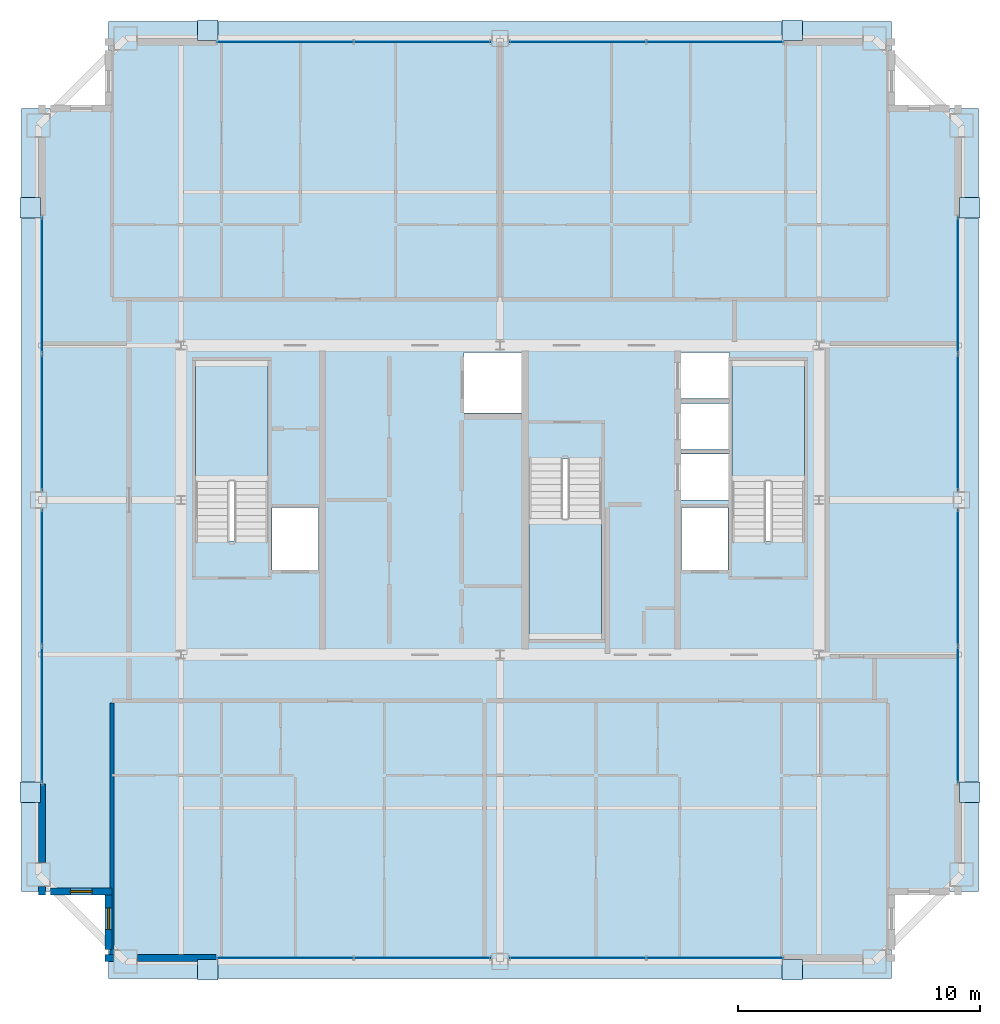
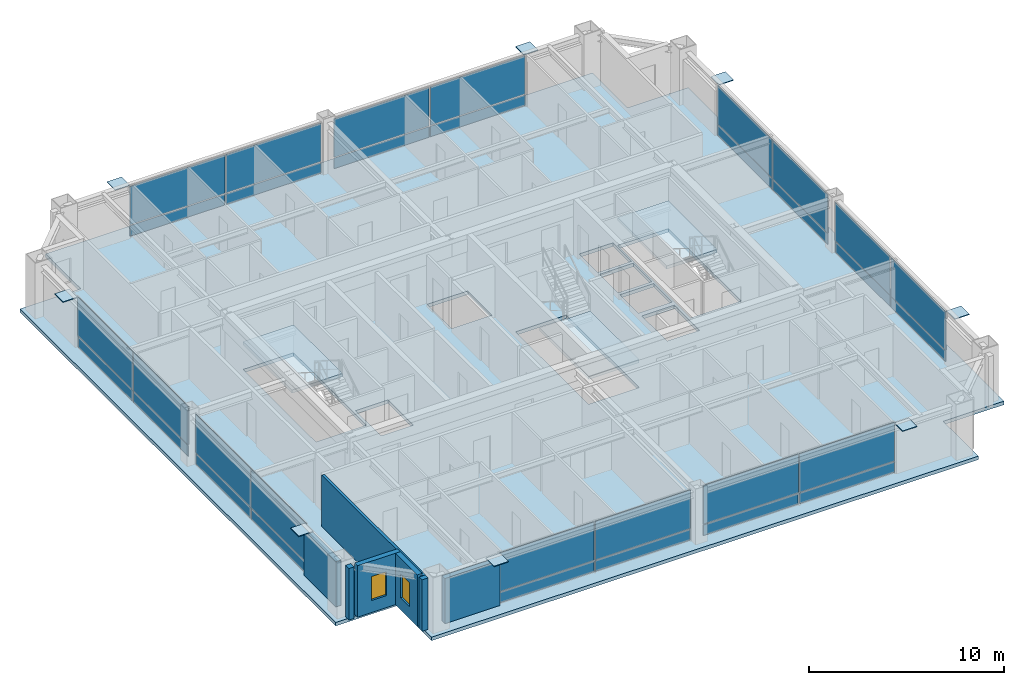
# One storey, part 29 of 35: 40 plates, 7 walls, 4 slabs, 2 windows, 2 openings, 11 elements without a shape of their own.
"""IFC4 building model written with IfcOpenShell, lengths in metres."""

from ifc_helpers import new_model, si_unit, direction, frame, frame_2d, origin, origin_2d, place, context, subcontext, project, spatial, polyline, rectangle, outline, extrude, source, transform, mapped, material, layer, layer_set, type_object, element, fill, aggregate, save


model = new_model("IFC4")

# Units and contexts
model_context = context("Model", 3, precision=1e-05, world=origin(), true_north=direction((0.0, 1.0)))
body_context = subcontext(model_context, "Body", "Model", "MODEL_VIEW")
ifc_project = project(units=[si_unit("LENGTHUNIT", "METRE"), si_unit("AREAUNIT", "SQUARE_METRE"), si_unit("VOLUMEUNIT", "CUBIC_METRE"), si_unit("PLANEANGLEUNIT", "RADIAN"), si_unit("MASSUNIT", "GRAM", prefix="KILO"), si_unit("THERMODYNAMICTEMPERATUREUNIT", "KELVIN"), si_unit("POWERUNIT", "WATT")], contexts=[model_context])

# Site, building, storey
site_placement = place(None, origin())
site = spatial("IfcSite", under=ifc_project, at=site_placement, CompositionType="ELEMENT")
building_placement = place(site_placement, origin())
building = spatial("IfcBuilding", under=site, at=building_placement, Name="Yuzanri Waterfront Tower", CompositionType="ELEMENT")
storey_placement = place(building_placement, frame((0.0, 0.0, 303.10009765625)))
storey = spatial("IfcBuildingStorey", under=building, at=storey_placement, Name="L81", CompositionType="ELEMENT", Elevation=303.10009765625)

# Stair, slab
ifc_material_1 = material(Name="Concrete C40", Category="concrete")
stair_type = type_object("IfcStairType", Name="Concrete C40 Core Dogleg Exit Stair", PredefinedType="HALF_TURN_STAIR", material=ifc_material_1)
stair_1_placement = place(storey_placement, origin())
stair_1 = element("IfcStair", 1, at=stair_1_placement, inside=storey, type_object=stair_type, Name="L81 Smoke-Proof Core Stair ST-01", PredefinedType="HALF_TURN_STAIR")
ifc_material_2 = material(Name="Concrete C40", Category="concrete")
ifc_layer_1 = layer(ifc_material_2, 0.179931640625)
ifc_layer_set_1 = layer_set([ifc_layer_1], Name="Concrete C40")
slab_type_1 = type_object("IfcSlabType", Name="Concrete C40 Stair Half-Landing Slab 180", PredefinedType="LANDING", material=ifc_layer_set_1)
slab_1_placement = place(storey_placement, frame((0.0, 0.0, 1.5498046875)))
slab_1 = element("IfcSlab", 2, at=slab_1_placement, type_object=slab_type_1, Name="ST-01 landing 1", PredefinedType="LANDING", context=body_context, shape_type="SweptSolid", body=[
    extrude(outline(polyline([(27.39990234375, 26.56005859375), (27.39990234375, 31.580078125), (24.39990234375, 31.580078125), (24.39990234375, 26.56005859375), (27.39990234375, 26.56005859375)])), origin(), (0.0, 0.0, 1.0), 0.2001953125),
])
aggregate(stair_1, [slab_1])

stair_2_placement = place(storey_placement, origin())
stair_2 = element("IfcStair", 3, at=stair_2_placement, inside=storey, type_object=stair_type, Name="L81 Smoke-Proof Core Stair ST-02", PredefinedType="HALF_TURN_STAIR")
slab_2_placement = place(storey_placement, frame((0.0, 0.0, 1.5498046875)))
slab_2 = element("IfcSlab", 4, at=slab_2_placement, type_object=slab_type_1, Name="ST-02 landing 1", PredefinedType="LANDING", context=body_context, shape_type="SweptSolid", body=[
    extrude(outline(polyline([(49.60009765625, 26.56005859375), (49.60009765625, 31.580078125), (46.60009765625, 31.580078125), (46.60009765625, 26.56005859375), (49.60009765625, 26.56005859375)])), origin(), (0.0, 0.0, 1.0), 0.2001953125),
])
aggregate(stair_2, [slab_2])

stair_3_placement = place(storey_placement, origin())
stair_3 = element("IfcStair", 5, at=stair_3_placement, inside=storey, type_object=stair_type, Name="L81 Smoke-Proof Core Stair ST-03", PredefinedType="HALF_TURN_STAIR")
slab_3_placement = place(storey_placement, frame((0.0, 0.0, 1.5498046875)))
slab_3 = element("IfcSlab", 6, at=slab_3_placement, type_object=slab_type_1, Name="ST-03 landing 1", PredefinedType="LANDING", context=body_context, shape_type="SweptSolid", body=[
    extrude(outline(polyline([(38.199951171875, 25.0400390625), (38.199951171875, 20.02001953125), (41.199951171875, 20.02001953125), (41.199951171875, 25.0400390625), (38.199951171875, 25.0400390625)])), origin(), (0.0, 0.0, 1.0), 0.2001953125),
])
aggregate(stair_3, [slab_3])

# Slab
ifc_material_3 = material(Name="Concrete C40", Category="concrete")
ifc_layer_2 = layer(ifc_material_3, 0.219970703125)
ifc_layer_set_2 = layer_set([ifc_layer_2], Name="Concrete C40")
slab_type_2 = type_object("IfcSlabType", Name="Concrete C40 Tower Typical Structural Floor Slab 220", PredefinedType="FLOOR", material=ifc_layer_set_2)
slab_4_placement = place(storey_placement, frame((0.0, 0.0, -0.22021484375)))
element("IfcSlab", 7, at=slab_4_placement, inside=storey, type_object=slab_type_2, Name="L81 Main Structural Floor Slab", PredefinedType="FLOOR", context=body_context, shape_type="SweptSolid", body=[
    extrude(outline(polyline([(20.800048828125, 6.0), (53.199951171875, 6.0), (53.199951171875, 9.60009765625), (56.800048828125, 9.60009765625), (56.800048828125, 42.0), (53.199951171875, 42.0), (53.199951171875, 45.60009765625), (20.800048828125, 45.60009765625), (20.800048828125, 42.0), (17.199951171875, 42.0), (17.199951171875, 9.60009765625), (20.800048828125, 9.60009765625), (20.800048828125, 6.0)]), holes=[polyline([(27.39990234375, 24.10009765625), (27.39990234375, 31.580078125), (24.39990234375, 31.580078125), (24.39990234375, 24.10009765625), (27.39990234375, 24.10009765625)]), polyline([(49.60009765625, 24.10009765625), (49.60009765625, 31.580078125), (46.60009765625, 31.580078125), (46.60009765625, 24.10009765625), (49.60009765625, 24.10009765625)]), polyline([(38.199951171875, 27.5), (38.199951171875, 20.02001953125), (41.199951171875, 20.02001953125), (41.199951171875, 27.5), (38.199951171875, 27.5)]), polyline([(27.56005859375, 22.89990234375), (29.47998046875, 22.89990234375), (29.47998046875, 25.5), (27.56005859375, 25.5), (27.56005859375, 22.89990234375)]), polyline([(44.52001953125, 22.89990234375), (46.43994140625, 22.89990234375), (46.43994140625, 25.5), (44.52001953125, 25.5), (44.52001953125, 22.89990234375)]), polyline([(35.5, 29.39990234375), (37.89990234375, 29.39990234375), (37.89990234375, 31.89990234375), (35.5, 31.89990234375), (35.5, 29.39990234375)]), polyline([(44.5, 25.800048828125), (46.5, 25.800048828125), (46.5, 27.699951171875), (44.5, 27.699951171875), (44.5, 25.800048828125)]), polyline([(44.5, 27.89990234375), (46.5, 27.89990234375), (46.5, 29.800048828125), (44.5, 29.800048828125), (44.5, 27.89990234375)]), polyline([(44.5, 30.0), (46.5, 30.0), (46.5, 31.89990234375), (44.5, 31.89990234375), (44.5, 30.0)])]), origin(), (0.0, 0.0, 1.0), 0.22021484375),
])

# Plates
ifc_material_4 = material(Name="Steel Q420GJC", Category="steel")
ifc_layer_3 = layer(ifc_material_4, 0.0400390625)
ifc_layer_set_3 = layer_set([ifc_layer_3], Name="Steel Q420GJC")
plate_type_1 = type_object("IfcPlateType", Name="Steel Q420GJC Mega-Brace Gusset and End-Cap Plate 40", PredefinedType="SHEET", material=ifc_layer_set_3)
shared_shape_1 = source(origin(), body_context, "Body", "SweptSolid", [
    extrude(rectangle(XDim=0.85009765625, YDim=0.85009765625, at=origin_2d()), origin(), (0.0, 0.0, 1.0), 0.0400390625),
])
for number, where, z_axis, x_axis, name in (
    (8, (24.89990234375, 6.360107421875, 3.159912109375), (0.0, 0.0, 1.0), (1.0, 0.0, 0.0), "L81 Mega-Brace Apex Cap Plate S-L"),
    (9, (49.10009765625, 6.360107421875, 3.159912109375), (0.0, 0.0, 1.0), (1.0, 0.0, 0.0), "L81 Mega-Brace Apex Cap Plate S-R"),
    (10, (24.89990234375, 45.239990234375, 3.159912109375), (0.0, 0.0, 1.0), (1.0, 0.0, 0.0), "L81 Mega-Brace Apex Cap Plate N-L"),
    (11, (49.10009765625, 45.239990234375, 3.159912109375), (0.0, 0.0, 1.0), (1.0, 0.0, 0.0), "L81 Mega-Brace Apex Cap Plate N-R"),
    (12, (17.56005859375, 13.699951171875, 3.159912109375), (0.0, 0.0, 1.0), (1.0, 0.0, 0.0), "L81 Mega-Brace Apex Cap Plate W-L"),
    (13, (17.56005859375, 37.89990234375, 3.159912109375), (0.0, 0.0, 1.0), (1.0, 0.0, 0.0), "L81 Mega-Brace Apex Cap Plate W-R"),
    (14, (56.43994140625, 13.699951171875, 3.159912109375), (0.0, 0.0, 1.0), (1.0, 0.0, 0.0), "L81 Mega-Brace Apex Cap Plate E-L"),
    (15, (56.43994140625, 37.89990234375, 3.159912109375), (0.0, 0.0, 1.0), (1.0, 0.0, 0.0), "L81 Mega-Brace Apex Cap Plate E-R"),
):
    element("IfcPlate", number, at=place(storey_placement, frame(where, z_axis=z_axis, x_axis=x_axis)), inside=storey, type_object=plate_type_1, Name=name, PredefinedType="SHEET", context=body_context, shape_type="MappedRepresentation", body=[
        mapped(shared_shape_1, transform((0.0, 0.0, 0.0), scale=1.0)),
    ])

# Curtain wall, plates
ifc_material_5 = material(Name="Anodized Architectural Bronze", Category="metal")
ifc_layer_4 = layer(ifc_material_5, 0.159912109375)
ifc_layer_set_4 = layer_set([ifc_layer_4], Name="Anodized Architectural Bronze")
curtain_wall_type = type_object("IfcCurtainWallType", Name="Anodized Bronze High-Rise Penthouse High-Wind Unitized Curtain Wall 6900", PredefinedType="NOTDEFINED", material=ifc_layer_set_4)
curtain_wall_1_placement = place(storey_placement, origin())
curtain_wall_1 = element("IfcCurtainWall", 16, at=curtain_wall_1_placement, inside=storey, type_object=curtain_wall_type, Name="L81 Curtain Wall CW-L81-SL", PredefinedType="NOTDEFINED")
ifc_material_6 = material(Name="Anodized Architectural Bronze", Category="metal")
ifc_layer_5 = layer(ifc_material_6, 0.028076171875)
ifc_layer_set_5 = layer_set([ifc_layer_5], Name="Anodized Architectural Bronze")
plate_type_2 = type_object("IfcPlateType", Name="Bronze Insulated Spandrel Shadow-Box Panel 28", PredefinedType="CURTAIN_PANEL", material=ifc_layer_set_5)
shared_shape_2 = source(origin(), body_context, "Body", "SweptSolid", [
    extrude(rectangle(XDim=5.6201171875, YDim=0.028076171875, at=origin_2d()), origin(), (0.0, 0.0, 1.0), 0.660888671875),
])
plate_1_placement = place(storey_placement, frame((28.10009765625, 6.85009765625, 0.0498046875), z_axis=(0.0, 0.0, 1.0), x_axis=(1.0, 0.0, 0.0)))
plate_1 = element("IfcPlate", 17, at=plate_1_placement, type_object=plate_type_2, Name="CW-L81-SL Spandrel Panel 01", PredefinedType="CURTAIN_PANEL", context=body_context, shape_type="MappedRepresentation", body=[
    mapped(shared_shape_2, transform((0.0, 0.0, 0.0), scale=1.0)),
])
plate_2_placement = place(storey_placement, frame((33.800048828125, 6.85009765625, 0.0498046875), z_axis=(0.0, 0.0, 1.0), x_axis=(1.0, 0.0, 0.0)))
plate_2 = element("IfcPlate", 18, at=plate_2_placement, type_object=plate_type_2, Name="CW-L81-SL Spandrel Panel 02", PredefinedType="CURTAIN_PANEL", context=body_context, shape_type="MappedRepresentation", body=[
    mapped(shared_shape_2, transform((0.0, 0.0, 0.0), scale=1.0)),
])

curtain_wall_2_placement = place(storey_placement, origin())
curtain_wall_2 = element("IfcCurtainWall", 19, at=curtain_wall_2_placement, inside=storey, type_object=curtain_wall_type, Name="L81 Curtain Wall CW-L81-SR", PredefinedType="NOTDEFINED")
plate_3_placement = place(storey_placement, frame((40.199951171875, 6.85009765625, 0.0498046875), z_axis=(0.0, 0.0, 1.0), x_axis=(1.0, 0.0, 0.0)))
plate_3 = element("IfcPlate", 20, at=plate_3_placement, type_object=plate_type_2, Name="CW-L81-SR Spandrel Panel 01", PredefinedType="CURTAIN_PANEL", context=body_context, shape_type="MappedRepresentation", body=[
    mapped(shared_shape_2, transform((0.0, 0.0, 0.0), scale=1.0)),
])
plate_4_placement = place(storey_placement, frame((45.89990234375, 6.85009765625, 0.0498046875), z_axis=(0.0, 0.0, 1.0), x_axis=(1.0, 0.0, 0.0)))
plate_4 = element("IfcPlate", 21, at=plate_4_placement, type_object=plate_type_2, Name="CW-L81-SR Spandrel Panel 02", PredefinedType="CURTAIN_PANEL", context=body_context, shape_type="MappedRepresentation", body=[
    mapped(shared_shape_2, transform((0.0, 0.0, 0.0), scale=1.0)),
])

curtain_wall_3_placement = place(storey_placement, origin())
curtain_wall_3 = element("IfcCurtainWall", 22, at=curtain_wall_3_placement, inside=storey, type_object=curtain_wall_type, Name="L81 Curtain Wall CW-L81-NL", PredefinedType="NOTDEFINED")
plate_5_placement = place(storey_placement, frame((28.10009765625, 44.75, 0.0498046875), z_axis=(0.0, 0.0, 1.0), x_axis=(1.0, 0.0, 0.0)))
plate_5 = element("IfcPlate", 23, at=plate_5_placement, type_object=plate_type_2, Name="CW-L81-NL Spandrel Panel 01", PredefinedType="CURTAIN_PANEL", context=body_context, shape_type="MappedRepresentation", body=[
    mapped(shared_shape_2, transform((0.0, 0.0, 0.0), scale=1.0)),
])
plate_6_placement = place(storey_placement, frame((33.800048828125, 44.75, 0.0498046875), z_axis=(0.0, 0.0, 1.0), x_axis=(1.0, 0.0, 0.0)))
plate_6 = element("IfcPlate", 24, at=plate_6_placement, type_object=plate_type_2, Name="CW-L81-NL Spandrel Panel 02", PredefinedType="CURTAIN_PANEL", context=body_context, shape_type="MappedRepresentation", body=[
    mapped(shared_shape_2, transform((0.0, 0.0, 0.0), scale=1.0)),
])

curtain_wall_4_placement = place(storey_placement, origin())
curtain_wall_4 = element("IfcCurtainWall", 25, at=curtain_wall_4_placement, inside=storey, type_object=curtain_wall_type, Name="L81 Curtain Wall CW-L81-NR", PredefinedType="NOTDEFINED")
plate_7_placement = place(storey_placement, frame((40.199951171875, 44.75, 0.0498046875), z_axis=(0.0, 0.0, 1.0), x_axis=(1.0, 0.0, 0.0)))
plate_7 = element("IfcPlate", 26, at=plate_7_placement, type_object=plate_type_2, Name="CW-L81-NR Spandrel Panel 01", PredefinedType="CURTAIN_PANEL", context=body_context, shape_type="MappedRepresentation", body=[
    mapped(shared_shape_2, transform((0.0, 0.0, 0.0), scale=1.0)),
])
plate_8_placement = place(storey_placement, frame((45.89990234375, 44.75, 0.0498046875), z_axis=(0.0, 0.0, 1.0), x_axis=(1.0, 0.0, 0.0)))
plate_8 = element("IfcPlate", 27, at=plate_8_placement, type_object=plate_type_2, Name="CW-L81-NR Spandrel Panel 02", PredefinedType="CURTAIN_PANEL", context=body_context, shape_type="MappedRepresentation", body=[
    mapped(shared_shape_2, transform((0.0, 0.0, 0.0), scale=1.0)),
])

curtain_wall_5_placement = place(storey_placement, origin())
curtain_wall_5 = element("IfcCurtainWall", 28, at=curtain_wall_5_placement, inside=storey, type_object=curtain_wall_type, Name="L81 Curtain Wall CW-L81-WL", PredefinedType="NOTDEFINED")
plate_9_placement = place(storey_placement, frame((18.050048828125, 16.89990234375, 0.0498046875), z_axis=(0.0, 0.0, 1.0), x_axis=(0.0, 1.0, 0.0)))
plate_9 = element("IfcPlate", 29, at=plate_9_placement, type_object=plate_type_2, Name="CW-L81-WL Spandrel Panel 01", PredefinedType="CURTAIN_PANEL", context=body_context, shape_type="MappedRepresentation", body=[
    mapped(shared_shape_2, transform((0.0, 0.0, 0.0), scale=1.0)),
])
plate_10_placement = place(storey_placement, frame((18.050048828125, 22.60009765625, 0.0498046875), z_axis=(0.0, 0.0, 1.0), x_axis=(0.0, 1.0, 0.0)))
plate_10 = element("IfcPlate", 30, at=plate_10_placement, type_object=plate_type_2, Name="CW-L81-WL Spandrel Panel 02", PredefinedType="CURTAIN_PANEL", context=body_context, shape_type="MappedRepresentation", body=[
    mapped(shared_shape_2, transform((0.0, 0.0, 0.0), scale=1.0)),
])

curtain_wall_6_placement = place(storey_placement, origin())
curtain_wall_6 = element("IfcCurtainWall", 31, at=curtain_wall_6_placement, inside=storey, type_object=curtain_wall_type, Name="L81 Curtain Wall CW-L81-WR", PredefinedType="NOTDEFINED")
plate_11_placement = place(storey_placement, frame((18.050048828125, 29.0, 0.0498046875), z_axis=(0.0, 0.0, 1.0), x_axis=(0.0, 1.0, 0.0)))
plate_11 = element("IfcPlate", 32, at=plate_11_placement, type_object=plate_type_2, Name="CW-L81-WR Spandrel Panel 01", PredefinedType="CURTAIN_PANEL", context=body_context, shape_type="MappedRepresentation", body=[
    mapped(shared_shape_2, transform((0.0, 0.0, 0.0), scale=1.0)),
])
plate_12_placement = place(storey_placement, frame((18.050048828125, 34.699951171875, 0.0498046875), z_axis=(0.0, 0.0, 1.0), x_axis=(0.0, 1.0, 0.0)))
plate_12 = element("IfcPlate", 33, at=plate_12_placement, type_object=plate_type_2, Name="CW-L81-WR Spandrel Panel 02", PredefinedType="CURTAIN_PANEL", context=body_context, shape_type="MappedRepresentation", body=[
    mapped(shared_shape_2, transform((0.0, 0.0, 0.0), scale=1.0)),
])

curtain_wall_7_placement = place(storey_placement, origin())
curtain_wall_7 = element("IfcCurtainWall", 34, at=curtain_wall_7_placement, inside=storey, type_object=curtain_wall_type, Name="L81 Curtain Wall CW-L81-EL", PredefinedType="NOTDEFINED")
plate_13_placement = place(storey_placement, frame((55.949951171875, 16.89990234375, 0.0498046875), z_axis=(0.0, 0.0, 1.0), x_axis=(0.0, 1.0, 0.0)))
plate_13 = element("IfcPlate", 35, at=plate_13_placement, type_object=plate_type_2, Name="CW-L81-EL Spandrel Panel 01", PredefinedType="CURTAIN_PANEL", context=body_context, shape_type="MappedRepresentation", body=[
    mapped(shared_shape_2, transform((0.0, 0.0, 0.0), scale=1.0)),
])
plate_14_placement = place(storey_placement, frame((55.949951171875, 22.60009765625, 0.0498046875), z_axis=(0.0, 0.0, 1.0), x_axis=(0.0, 1.0, 0.0)))
plate_14 = element("IfcPlate", 36, at=plate_14_placement, type_object=plate_type_2, Name="CW-L81-EL Spandrel Panel 02", PredefinedType="CURTAIN_PANEL", context=body_context, shape_type="MappedRepresentation", body=[
    mapped(shared_shape_2, transform((0.0, 0.0, 0.0), scale=1.0)),
])

curtain_wall_8_placement = place(storey_placement, origin())
curtain_wall_8 = element("IfcCurtainWall", 37, at=curtain_wall_8_placement, inside=storey, type_object=curtain_wall_type, Name="L81 Curtain Wall CW-L81-ER", PredefinedType="NOTDEFINED")
plate_15_placement = place(storey_placement, frame((55.949951171875, 29.0, 0.0498046875), z_axis=(0.0, 0.0, 1.0), x_axis=(0.0, 1.0, 0.0)))
plate_15 = element("IfcPlate", 38, at=plate_15_placement, type_object=plate_type_2, Name="CW-L81-ER Spandrel Panel 01", PredefinedType="CURTAIN_PANEL", context=body_context, shape_type="MappedRepresentation", body=[
    mapped(shared_shape_2, transform((0.0, 0.0, 0.0), scale=1.0)),
])
plate_16_placement = place(storey_placement, frame((55.949951171875, 34.699951171875, 0.0498046875), z_axis=(0.0, 0.0, 1.0), x_axis=(0.0, 1.0, 0.0)))
plate_16 = element("IfcPlate", 39, at=plate_16_placement, type_object=plate_type_2, Name="CW-L81-ER Spandrel Panel 02", PredefinedType="CURTAIN_PANEL", context=body_context, shape_type="MappedRepresentation", body=[
    mapped(shared_shape_2, transform((0.0, 0.0, 0.0), scale=1.0)),
])

# Plate
ifc_material_7 = material(Name="Triple Low-E Laminated Insulated Glass", Category="glass")
ifc_layer_6 = layer(ifc_material_7, 0.0439453125)
ifc_layer_set_6 = layer_set([ifc_layer_6], Name="Triple Low-E Laminated Insulated Glass")
plate_type_3 = type_object("IfcPlateType", Name="Triple Glazed Acoustic Vision Glass Panel 44", PredefinedType="CURTAIN_PANEL", material=ifc_layer_set_6)
shared_shape_3 = source(origin(), body_context, "Body", "SweptSolid", [
    extrude(rectangle(XDim=5.6201171875, YDim=0.0439453125, at=origin_2d()), origin(), (0.0, 0.0, 1.0), 2.39892578125),
])
plate_17_placement = place(storey_placement, frame((28.10009765625, 6.85009765625, 0.77099609375), z_axis=(0.0, 0.0, 1.0), x_axis=(1.0, 0.0, 0.0)))
plate_17 = element("IfcPlate", 40, at=plate_17_placement, type_object=plate_type_3, Name="CW-L81-SL Vision Glass Panel 01", PredefinedType="CURTAIN_PANEL", context=body_context, shape_type="MappedRepresentation", body=[
    mapped(shared_shape_3, transform((0.0, 0.0, 0.0), scale=1.0)),
])

plate_18_placement = place(storey_placement, frame((33.800048828125, 6.85009765625, 0.77099609375), z_axis=(0.0, 0.0, 1.0), x_axis=(1.0, 0.0, 0.0)))
plate_18 = element("IfcPlate", 41, at=plate_18_placement, type_object=plate_type_3, Name="CW-L81-SL Vision Glass Panel 02", PredefinedType="CURTAIN_PANEL", context=body_context, shape_type="MappedRepresentation", body=[
    mapped(shared_shape_3, transform((0.0, 0.0, 0.0), scale=1.0)),
])

aggregate(curtain_wall_1, [plate_1, plate_17, plate_2, plate_18])

plate_19_placement = place(storey_placement, frame((40.199951171875, 6.85009765625, 0.77099609375), z_axis=(0.0, 0.0, 1.0), x_axis=(1.0, 0.0, 0.0)))
plate_19 = element("IfcPlate", 42, at=plate_19_placement, type_object=plate_type_3, Name="CW-L81-SR Vision Glass Panel 01", PredefinedType="CURTAIN_PANEL", context=body_context, shape_type="MappedRepresentation", body=[
    mapped(shared_shape_3, transform((0.0, 0.0, 0.0), scale=1.0)),
])

plate_20_placement = place(storey_placement, frame((45.89990234375, 6.85009765625, 0.77099609375), z_axis=(0.0, 0.0, 1.0), x_axis=(1.0, 0.0, 0.0)))
plate_20 = element("IfcPlate", 43, at=plate_20_placement, type_object=plate_type_3, Name="CW-L81-SR Vision Glass Panel 02", PredefinedType="CURTAIN_PANEL", context=body_context, shape_type="MappedRepresentation", body=[
    mapped(shared_shape_3, transform((0.0, 0.0, 0.0), scale=1.0)),
])

aggregate(curtain_wall_2, [plate_3, plate_19, plate_4, plate_20])

plate_21_placement = place(storey_placement, frame((28.10009765625, 44.75, 0.77099609375), z_axis=(0.0, 0.0, 1.0), x_axis=(1.0, 0.0, 0.0)))
plate_21 = element("IfcPlate", 44, at=plate_21_placement, type_object=plate_type_3, Name="CW-L81-NL Vision Glass Panel 01", PredefinedType="CURTAIN_PANEL", context=body_context, shape_type="MappedRepresentation", body=[
    mapped(shared_shape_3, transform((0.0, 0.0, 0.0), scale=1.0)),
])

plate_22_placement = place(storey_placement, frame((33.800048828125, 44.75, 0.77099609375), z_axis=(0.0, 0.0, 1.0), x_axis=(1.0, 0.0, 0.0)))
plate_22 = element("IfcPlate", 45, at=plate_22_placement, type_object=plate_type_3, Name="CW-L81-NL Vision Glass Panel 02", PredefinedType="CURTAIN_PANEL", context=body_context, shape_type="MappedRepresentation", body=[
    mapped(shared_shape_3, transform((0.0, 0.0, 0.0), scale=1.0)),
])

aggregate(curtain_wall_3, [plate_5, plate_21, plate_6, plate_22])

plate_23_placement = place(storey_placement, frame((40.199951171875, 44.75, 0.77099609375), z_axis=(0.0, 0.0, 1.0), x_axis=(1.0, 0.0, 0.0)))
plate_23 = element("IfcPlate", 46, at=plate_23_placement, type_object=plate_type_3, Name="CW-L81-NR Vision Glass Panel 01", PredefinedType="CURTAIN_PANEL", context=body_context, shape_type="MappedRepresentation", body=[
    mapped(shared_shape_3, transform((0.0, 0.0, 0.0), scale=1.0)),
])

plate_24_placement = place(storey_placement, frame((45.89990234375, 44.75, 0.77099609375), z_axis=(0.0, 0.0, 1.0), x_axis=(1.0, 0.0, 0.0)))
plate_24 = element("IfcPlate", 47, at=plate_24_placement, type_object=plate_type_3, Name="CW-L81-NR Vision Glass Panel 02", PredefinedType="CURTAIN_PANEL", context=body_context, shape_type="MappedRepresentation", body=[
    mapped(shared_shape_3, transform((0.0, 0.0, 0.0), scale=1.0)),
])

aggregate(curtain_wall_4, [plate_7, plate_23, plate_8, plate_24])

plate_25_placement = place(storey_placement, frame((18.050048828125, 16.89990234375, 0.77099609375), z_axis=(0.0, 0.0, 1.0), x_axis=(0.0, 1.0, 0.0)))
plate_25 = element("IfcPlate", 48, at=plate_25_placement, type_object=plate_type_3, Name="CW-L81-WL Vision Glass Panel 01", PredefinedType="CURTAIN_PANEL", context=body_context, shape_type="MappedRepresentation", body=[
    mapped(shared_shape_3, transform((0.0, 0.0, 0.0), scale=1.0)),
])

plate_26_placement = place(storey_placement, frame((18.050048828125, 22.60009765625, 0.77099609375), z_axis=(0.0, 0.0, 1.0), x_axis=(0.0, 1.0, 0.0)))
plate_26 = element("IfcPlate", 49, at=plate_26_placement, type_object=plate_type_3, Name="CW-L81-WL Vision Glass Panel 02", PredefinedType="CURTAIN_PANEL", context=body_context, shape_type="MappedRepresentation", body=[
    mapped(shared_shape_3, transform((0.0, 0.0, 0.0), scale=1.0)),
])

aggregate(curtain_wall_5, [plate_9, plate_25, plate_10, plate_26])

plate_27_placement = place(storey_placement, frame((18.050048828125, 29.0, 0.77099609375), z_axis=(0.0, 0.0, 1.0), x_axis=(0.0, 1.0, 0.0)))
plate_27 = element("IfcPlate", 50, at=plate_27_placement, type_object=plate_type_3, Name="CW-L81-WR Vision Glass Panel 01", PredefinedType="CURTAIN_PANEL", context=body_context, shape_type="MappedRepresentation", body=[
    mapped(shared_shape_3, transform((0.0, 0.0, 0.0), scale=1.0)),
])

plate_28_placement = place(storey_placement, frame((18.050048828125, 34.699951171875, 0.77099609375), z_axis=(0.0, 0.0, 1.0), x_axis=(0.0, 1.0, 0.0)))
plate_28 = element("IfcPlate", 51, at=plate_28_placement, type_object=plate_type_3, Name="CW-L81-WR Vision Glass Panel 02", PredefinedType="CURTAIN_PANEL", context=body_context, shape_type="MappedRepresentation", body=[
    mapped(shared_shape_3, transform((0.0, 0.0, 0.0), scale=1.0)),
])

aggregate(curtain_wall_6, [plate_11, plate_27, plate_12, plate_28])

plate_29_placement = place(storey_placement, frame((55.949951171875, 16.89990234375, 0.77099609375), z_axis=(0.0, 0.0, 1.0), x_axis=(0.0, 1.0, 0.0)))
plate_29 = element("IfcPlate", 52, at=plate_29_placement, type_object=plate_type_3, Name="CW-L81-EL Vision Glass Panel 01", PredefinedType="CURTAIN_PANEL", context=body_context, shape_type="MappedRepresentation", body=[
    mapped(shared_shape_3, transform((0.0, 0.0, 0.0), scale=1.0)),
])

plate_30_placement = place(storey_placement, frame((55.949951171875, 22.60009765625, 0.77099609375), z_axis=(0.0, 0.0, 1.0), x_axis=(0.0, 1.0, 0.0)))
plate_30 = element("IfcPlate", 53, at=plate_30_placement, type_object=plate_type_3, Name="CW-L81-EL Vision Glass Panel 02", PredefinedType="CURTAIN_PANEL", context=body_context, shape_type="MappedRepresentation", body=[
    mapped(shared_shape_3, transform((0.0, 0.0, 0.0), scale=1.0)),
])

aggregate(curtain_wall_7, [plate_13, plate_29, plate_14, plate_30])

plate_31_placement = place(storey_placement, frame((55.949951171875, 29.0, 0.77099609375), z_axis=(0.0, 0.0, 1.0), x_axis=(0.0, 1.0, 0.0)))
plate_31 = element("IfcPlate", 54, at=plate_31_placement, type_object=plate_type_3, Name="CW-L81-ER Vision Glass Panel 01", PredefinedType="CURTAIN_PANEL", context=body_context, shape_type="MappedRepresentation", body=[
    mapped(shared_shape_3, transform((0.0, 0.0, 0.0), scale=1.0)),
])

plate_32_placement = place(storey_placement, frame((55.949951171875, 34.699951171875, 0.77099609375), z_axis=(0.0, 0.0, 1.0), x_axis=(0.0, 1.0, 0.0)))
plate_32 = element("IfcPlate", 55, at=plate_32_placement, type_object=plate_type_3, Name="CW-L81-ER Vision Glass Panel 02", PredefinedType="CURTAIN_PANEL", context=body_context, shape_type="MappedRepresentation", body=[
    mapped(shared_shape_3, transform((0.0, 0.0, 0.0), scale=1.0)),
])

aggregate(curtain_wall_8, [plate_15, plate_31, plate_16, plate_32])

# Wall, opening, window
ifc_material_8 = material(Name="Honed Chongqing Dark Basalt Stone", Category="masonry")
ifc_layer_7 = layer(ifc_material_8, 0.300048828125)
ifc_layer_set_7 = layer_set([ifc_layer_7], Name="Honed Chongqing Dark Basalt Stone")
wall_type_1 = type_object("IfcWallType", Name="Bronze Rainscreen Insulated Spandrel Portal Wall 300", PredefinedType="SOLIDWALL", material=ifc_layer_set_7)
wall_1_placement = place(storey_placement, frame((18.39990234375, 9.60009765625, 0.0), z_axis=(0.0, 0.0, 1.0), x_axis=(1.0, 0.0, 0.0)))
wall_1 = element("IfcWall", 56, at=wall_1_placement, inside=storey, type_object=wall_type_1, Name="L81 Notched Corner Masonry Wall SW-X", PredefinedType="SOLIDWALL", context=body_context, shape_type="SweptSolid", body=[
    extrude(rectangle(XDim=2.550048828125, YDim=0.300048828125, at=frame_2d((1.27490234375, 0.0))), origin(), (0.0, 0.0, 1.0), 3.219970703125),
])
opening_1_placement = place(wall_1_placement, frame((0.824951171875, 0.0, 0.75)))
opening_1 = element("IfcOpeningElement", 57, at=opening_1_placement, cuts=wall_1, Name="Opening WN-05", PredefinedType="OPENING", context=body_context, shape_type="SweptSolid", body=[
    extrude(rectangle(XDim=0.89990234375, YDim=1.5, at=frame_2d((0.449951171875, 0.75))), frame((0.0, 0.1650390625, 0.0), z_axis=(0.0, -1.0, 0.0), x_axis=(1.0, 0.0, 0.0)), (0.0, 0.0, 1.0), 0.329833984375),
])
ifc_material_9 = material(Name="Double-Silver Low-E Insulated Glass", Category="glass")
window_type = type_object("IfcWindowType", Name="Anodized Bronze Service and Stairwell Smoke-Vent Window 900x1500", PartitioningType="SINGLE_PANEL", PredefinedType="WINDOW", material=ifc_material_9)
shared_shape_4 = source(origin(), body_context, "Body", "SweptSolid", [
    extrude(rectangle(XDim=0.89990234375, YDim=1.5, at=frame_2d((0.449951171875, 0.75))), frame((0.0, 0.030029296875, 0.0), z_axis=(0.0, -1.0, 0.0), x_axis=(1.0, 0.0, 0.0)), (0.0, 0.0, 1.0), 0.06005859375),
])
window_1_placement = place(opening_1_placement, origin())
window_1 = element("IfcWindow", 58, at=window_1_placement, inside=storey, type_object=window_type, Name="L81 Notched Corner Window SW-X", OverallHeight=1.5, OverallWidth=0.89990234375, PartitioningType="SINGLE_PANEL", PredefinedType="WINDOW", context=body_context, shape_type="MappedRepresentation", body=[
    mapped(shared_shape_4, transform((0.0, 0.0, 0.0), scale=1.0)),
])
fill(opening_1, window_1)

wall_2_placement = place(storey_placement, frame((20.800048828125, 9.75, 0.0), z_axis=(0.0, 0.0, 1.0), x_axis=(0.0, -1.0, 0.0)))
wall_2 = element("IfcWall", 59, at=wall_2_placement, inside=storey, type_object=wall_type_1, Name="L81 Notched Corner Masonry Wall SW-Y", PredefinedType="SOLIDWALL", context=body_context, shape_type="SweptSolid", body=[
    extrude(rectangle(XDim=2.550048828125, YDim=0.300048828125, at=frame_2d((1.27490234375, 0.0))), origin(), (0.0, 0.0, 1.0), 3.219970703125),
])
opening_2_placement = place(wall_2_placement, frame((0.824951171875, 0.0, 0.75)))
opening_2 = element("IfcOpeningElement", 60, at=opening_2_placement, cuts=wall_2, Name="Opening WN-05", PredefinedType="OPENING", context=body_context, shape_type="SweptSolid", body=[
    extrude(rectangle(XDim=0.89990234375, YDim=1.5, at=frame_2d((0.449951171875, 0.75))), frame((0.0, 0.1650390625, 0.0), z_axis=(0.0, -1.0, 0.0), x_axis=(1.0, 0.0, 0.0)), (0.0, 0.0, 1.0), 0.329833984375),
])
window_2_placement = place(opening_2_placement, origin())
window_2 = element("IfcWindow", 61, at=window_2_placement, inside=storey, type_object=window_type, Name="L81 Notched Corner Window SW-Y", OverallHeight=1.5, OverallWidth=0.89990234375, PartitioningType="SINGLE_PANEL", PredefinedType="WINDOW", context=body_context, shape_type="MappedRepresentation", body=[
    mapped(shared_shape_4, transform((0.0, 0.0, 0.0), scale=1.0)),
])
fill(opening_2, window_2)

# Walls
shared_shape_5 = source(origin(), body_context, "Body", "SweptSolid", [
    extrude(rectangle(XDim=0.35009765625, YDim=0.300048828125, at=frame_2d((0.175048828125, 0.0))), origin(), (0.0, 0.0, 1.0), 3.219970703125),
])
for number, where, z_axis, x_axis, name in (
    (62, (20.64990234375, 6.85009765625, 0.0), (0.0, 0.0, 1.0), (1.0, 0.0, 0.0), "L81 Corner Column Shoulder Return CSW"),
    (63, (18.050048828125, 9.449951171875, 0.0), (0.0, 0.0, 1.0), (0.0, 1.0, 0.0), "L81 Corner Column Shoulder Return CWS"),
):
    element("IfcWall", number, at=place(storey_placement, frame(where, z_axis=z_axis, x_axis=x_axis)), inside=storey, type_object=wall_type_1, Name=name, PredefinedType="SOLIDWALL", context=body_context, shape_type="MappedRepresentation", body=[
        mapped(shared_shape_5, transform((0.0, 0.0, 0.0), scale=1.0)),
    ])
shared_shape_6 = source(origin(), body_context, "Body", "SweptSolid", [
    extrude(rectangle(XDim=3.25, YDim=0.300048828125, at=frame_2d((1.625, 0.0))), origin(), (0.0, 0.0, 1.0), 2.824951171875),
])
for number, where, z_axis, x_axis, name in (
    (64, (22.0, 6.85009765625, 0.0), (0.0, 0.0, 1.0), (1.0, 0.0, 0.0), "L81 S Left Braced Masonry Shoulder"),
    (65, (18.050048828125, 10.800048828125, 0.0), (0.0, 0.0, 1.0), (0.0, 1.0, 0.0), "L81 W Left Braced Masonry Shoulder"),
):
    element("IfcWall", number, at=place(storey_placement, frame(where, z_axis=z_axis, x_axis=x_axis)), inside=storey, type_object=wall_type_1, Name=name, PredefinedType="SOLIDWALL", context=body_context, shape_type="MappedRepresentation", body=[
        mapped(shared_shape_6, transform((0.0, 0.0, 0.0), scale=1.0)),
    ])
ifc_material_10 = material(Name="Gypsum Fireboard Acoustic Stud Wall", Category="gypsum")
ifc_layer_8 = layer(ifc_material_10, 0.159912109375)
ifc_layer_set_8 = layer_set([ifc_layer_8], Name="Gypsum Fireboard Acoustic Stud Wall")
wall_type_2 = type_object("IfcWallType", Name="Acoustic Suite Demising Partition 160", PredefinedType="PARTITIONING", material=ifc_layer_set_8)
shared_shape_7 = source(origin(), body_context, "Body", "SweptSolid", [
    extrude(rectangle(XDim=10.389892578125, YDim=0.159912109375, at=frame_2d((5.19482421875, 0.0))), origin(), (0.0, 0.0, 1.0), 3.219970703125),
])
wall_3_placement = place(storey_placement, frame((20.949951171875, 7.0, 0.0), z_axis=(0.0, 0.0, 1.0), x_axis=(0.0, 1.0, 0.0)))
element("IfcWall", 66, at=wall_3_placement, inside=storey, type_object=wall_type_2, Name="L81 South Band West End Wall", PredefinedType="PARTITIONING", context=body_context, shape_type="MappedRepresentation", body=[
    mapped(shared_shape_7, transform((0.0, 0.0, 0.0), scale=1.0)),
])

save(model, "model.ifc")
